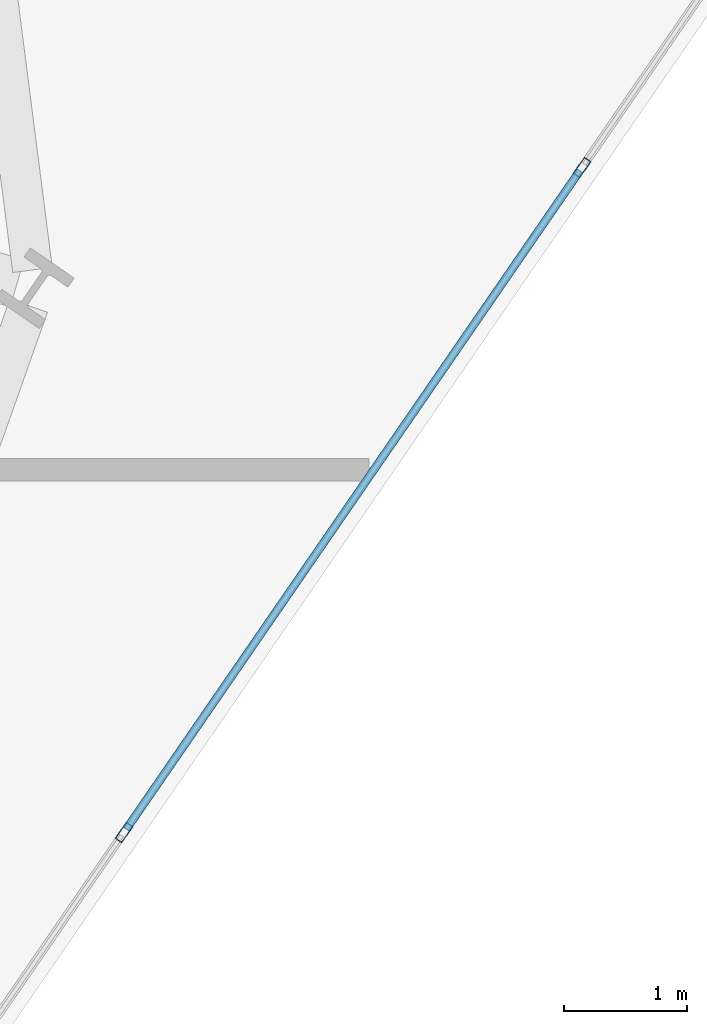
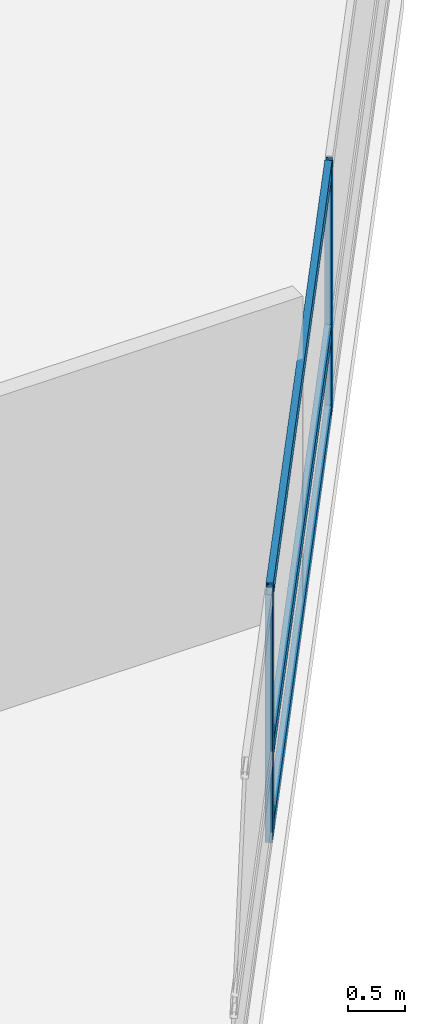
# One storey, part 9 of 24: 5 members, 1 element without a shape of its own.
"""IFC4 building model written with IfcOpenShell, lengths in metres."""

from ifc_helpers import new_model, si_unit, direction, frame, origin, origin_2d, place, context, subcontext, project, spatial, hollow_rectangle, extrude, material, layer, layer_set, material_profile, profile_set, type_object, element, aggregate, save


model = new_model("IFC4")

# Units and contexts
model_context = context("Model", 3, precision=1e-05, world=origin(), true_north=direction((0.0, 1.0)))
body_context = subcontext(model_context, "Body", "Model", "MODEL_VIEW")
ifc_project = project(units=[si_unit("LENGTHUNIT", "METRE"), si_unit("AREAUNIT", "SQUARE_METRE"), si_unit("VOLUMEUNIT", "CUBIC_METRE"), si_unit("PLANEANGLEUNIT", "RADIAN"), si_unit("MASSUNIT", "GRAM", prefix="KILO")], contexts=[model_context])

# Site, building, storey
site_placement = place(None, origin())
site = spatial("IfcSite", under=ifc_project, at=site_placement, CompositionType="ELEMENT")
building_placement = place(site_placement, origin())
building = spatial("IfcBuilding", under=site, at=building_placement, Name="Varnelok Gate Tower", CompositionType="ELEMENT")
storey_placement = place(building_placement, frame((0.0, 0.0, 67.699951171875)))
storey = spatial("IfcBuildingStorey", under=building, at=storey_placement, Name="L16", CompositionType="ELEMENT", Elevation=67.699951171875)

# Curtain wall, members
ifc_material = material(Name="Anodized Aluminum Alloy 6063-T6", Category="aluminium")
ifc_layer = layer(ifc_material, 0.179931640625)
ifc_layer_set = layer_set([ifc_layer], Name="Anodized Aluminum Alloy 6063-T6")
curtain_wall_type = type_object("IfcCurtainWallType", Name="CW3-HOTEL-VISION", PredefinedType="USERDEFINED", material=ifc_layer_set)
curtain_wall_placement = place(storey_placement, origin())
curtain_wall = element("IfcCurtainWall", 1, at=curtain_wall_placement, inside=storey, type_object=curtain_wall_type, Name="L16 East End Vision Curtain Wall", ObjectType="UNITISED CURTAIN WALL", PredefinedType="USERDEFINED")
ifc_material_profile_1 = material_profile(ifc_material, hollow_rectangle(XDim=0.06494140625, YDim=0.159912109375, WallThickness=0.00390625, at=origin_2d()), Name="ALU160X65X4")
ifc_profile_set_1 = profile_set([ifc_material_profile_1], Name="Anodized Aluminum Alloy 6063-T6")
member_type_1 = type_object("IfcMemberType", Name="CW-MULL-160", PredefinedType="MULLION", material=ifc_profile_set_1)
member_1_placement = place(storey_placement, frame((78.8173828125, 13.958251953125, 0.0), z_axis=(0.0, 0.0, 1.0), x_axis=(0.823532685111, -0.567268822124, 0.0)))
member_1 = element("IfcMember", 2, at=member_1_placement, type_object=member_type_1, Name="CW3 mullion 2", PredefinedType="MULLION", context=body_context, shape_type="SweptSolid", body=[
    extrude(hollow_rectangle(XDim=0.06494140625, YDim=0.159912109375, WallThickness=0.00390625, at=origin_2d()), origin(), (0.0, 0.0, 1.0), 2.66015625),
])
member_2_placement = place(storey_placement, frame((75.09228515625, 8.55029296875, 0.0), z_axis=(0.0, 0.0, 1.0), x_axis=(0.823532685111, -0.567268822124, 0.0)))
member_2 = element("IfcMember", 3, at=member_2_placement, type_object=member_type_1, Name="CW3 mullion 3", PredefinedType="MULLION", context=body_context, shape_type="SweptSolid", body=[
    extrude(hollow_rectangle(XDim=0.06494140625, YDim=0.159912109375, WallThickness=0.00390625, at=origin_2d()), origin(), (0.0, 0.0, 1.0), 2.66015625),
])
ifc_material_profile_2 = material_profile(ifc_material, hollow_rectangle(XDim=0.06494140625, YDim=0.159912109375, WallThickness=0.00390625, at=origin_2d()), Name="ALU160X65X4")
ifc_profile_set_2 = profile_set([ifc_material_profile_2], Name="Anodized Aluminum Alloy 6063-T6")
member_type_2 = type_object("IfcMemberType", Name="CW-TRAN-160", PredefinedType="USERDEFINED", material=ifc_profile_set_2)
member_3_placement = place(storey_placement, frame((78.798828125, 13.931396484375, 0.032470703125), z_axis=(-0.567279204469, -0.823525533409, 0.0), x_axis=(0.823525533409, -0.567279204469, 0.0)))
member_3 = element("IfcMember", 4, at=member_3_placement, type_object=member_type_2, Name="CW3 transom 2.1", ObjectType="TRANSOM", PredefinedType="USERDEFINED", context=body_context, shape_type="SweptSolid", body=[
    extrude(hollow_rectangle(XDim=0.06494140625, YDim=0.159912109375, WallThickness=0.00390625, at=origin_2d()), origin(), (0.0, 0.0, 1.0), 6.501708984375),
])
member_4_placement = place(storey_placement, frame((78.798828125, 13.931396484375, 0.900146484375), z_axis=(-0.567279204469, -0.823525533409, 0.0), x_axis=(0.823525533409, -0.567279204469, 0.0)))
member_4 = element("IfcMember", 5, at=member_4_placement, type_object=member_type_2, Name="CW3 transom 2.2", ObjectType="TRANSOM", PredefinedType="USERDEFINED", context=body_context, shape_type="SweptSolid", body=[
    extrude(hollow_rectangle(XDim=0.06494140625, YDim=0.159912109375, WallThickness=0.00390625, at=origin_2d()), origin(), (0.0, 0.0, 1.0), 6.501708984375),
])
member_5_placement = place(storey_placement, frame((78.798828125, 13.931396484375, 2.62744140625), z_axis=(-0.567279204469, -0.823525533409, 0.0), x_axis=(0.823525533409, -0.567279204469, 0.0)))
member_5 = element("IfcMember", 6, at=member_5_placement, type_object=member_type_2, Name="CW3 transom 2.3", ObjectType="TRANSOM", PredefinedType="USERDEFINED", context=body_context, shape_type="SweptSolid", body=[
    extrude(hollow_rectangle(XDim=0.06494140625, YDim=0.159912109375, WallThickness=0.00390625, at=origin_2d()), origin(), (0.0, 0.0, 1.0), 6.501708984375),
])
aggregate(curtain_wall, [member_1, member_2, member_3, member_4, member_5])

save(model, "model.ifc")
